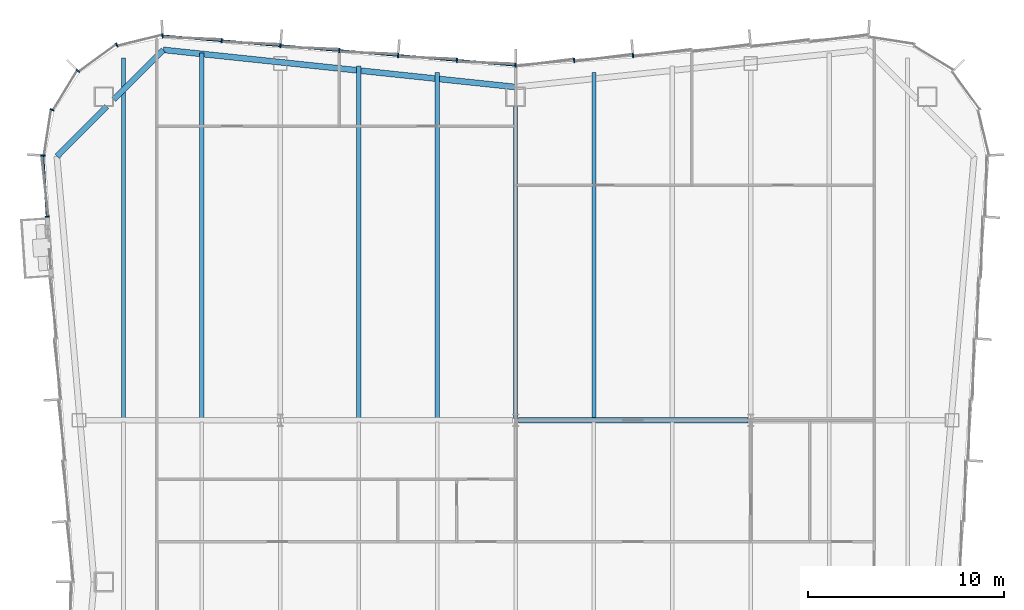
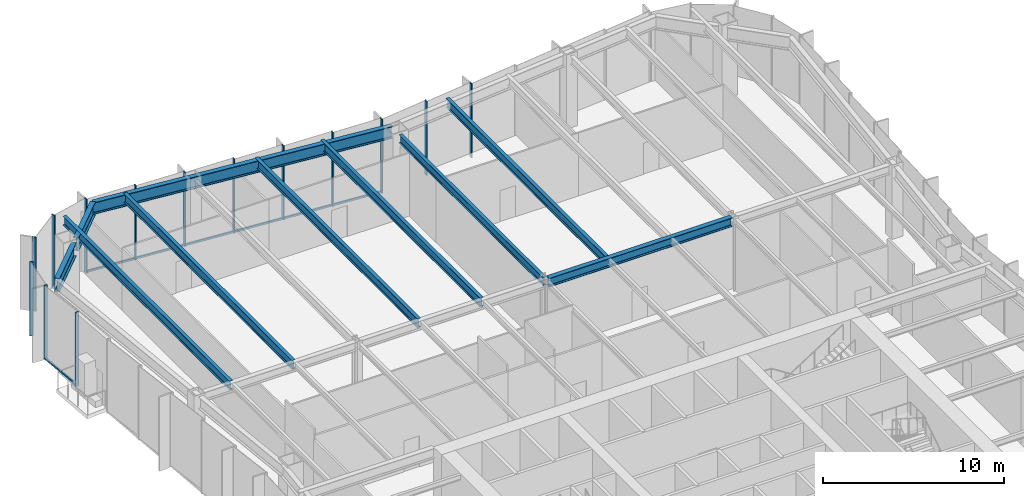
# One storey, part 5 of 16: 16 members, 10 beams, 3 elements without a shape of their own.
"""IFC4 building model written with IfcOpenShell, lengths in metres."""

from ifc_helpers import new_model, si_unit, direction, frame, origin, origin_2d, place, context, subcontext, project, spatial, rectangle, i_section, extrude, material, material_profile, profile_set, type_object, element, aggregate, save


model = new_model("IFC4")

# Units and contexts
model_context = context("Model", 3, precision=1e-05, world=origin(), true_north=direction((0.0, 1.0)))
body_context = subcontext(model_context, "Body", "Model", "MODEL_VIEW")
ifc_project = project(units=[si_unit("LENGTHUNIT", "METRE"), si_unit("AREAUNIT", "SQUARE_METRE"), si_unit("VOLUMEUNIT", "CUBIC_METRE"), si_unit("PLANEANGLEUNIT", "RADIAN"), si_unit("MASSUNIT", "GRAM", prefix="KILO")], contexts=[model_context])

# Site, building, storey
site_placement = place(None, origin())
site = spatial("IfcSite", under=ifc_project, at=site_placement, CompositionType="ELEMENT")
building_placement = place(site_placement, origin())
building = spatial("IfcBuilding", under=site, at=building_placement, Name="Verdant Reach Tower", CompositionType="ELEMENT")
storey_placement = place(building_placement, frame((0.0, 0.0, 177.0)))
storey = spatial("IfcBuildingStorey", under=building, at=storey_placement, Name="L40", CompositionType="ELEMENT", Elevation=177.0)

# Curtain wall, members
ifc_material_1 = material(Name="Anodised aluminium", Category="aluminium")
curtain_wall_type = type_object("IfcCurtainWallType", Name="EN-CW SYSTEM Z3", PredefinedType="NOTDEFINED", material=ifc_material_1)
curtain_wall_1_placement = place(storey_placement, origin())
curtain_wall_1 = element("IfcCurtainWall", 1, at=curtain_wall_1_placement, inside=storey, type_object=curtain_wall_type, Name="Curtain wall north, L40", PredefinedType="NOTDEFINED")
ifc_material_profile_1 = material_profile(ifc_material_1, rectangle(XDim=0.218017578125, YDim=0.06591796875, at=origin_2d()), Name="Mullion 66x218")
ifc_profile_set_1 = profile_set([ifc_material_profile_1], Name="Anodised aluminium")
member_type_1 = type_object("IfcMemberType", Name="EN-MULLION Z3", PredefinedType="MULLION", material=ifc_profile_set_1)
member_1_placement = place(storey_placement, frame((5.990966796875, 68.108642578125, -0.35009765625), z_axis=(0.0, 0.0, 1.0), x_axis=(-0.083045479859, 0.996545758244, 0.0)))
member_1 = element("IfcMember", 2, at=member_1_placement, type_object=member_type_1, Name="Mullion north face part 1 5, L40", PredefinedType="MULLION", context=body_context, shape_type="SweptSolid", body=[
    extrude(rectangle(XDim=0.218017578125, YDim=0.06591796875, at=origin_2d()), origin(), (0.0, 0.0, 1.0), 5.0),
])
member_2_placement = place(storey_placement, frame((2.990966796875, 67.858642578125, -0.35009765625), z_axis=(0.0, 0.0, 1.0), x_axis=(-0.083045479859, 0.996545758244, 0.0)))
member_2 = element("IfcMember", 3, at=member_2_placement, type_object=member_type_1, Name="Mullion north face part 1 6, L40", PredefinedType="MULLION", context=body_context, shape_type="SweptSolid", body=[
    extrude(rectangle(XDim=0.218017578125, YDim=0.06591796875, at=origin_2d()), origin(), (0.0, 0.0, 1.0), 5.0),
])
member_3_placement = place(storey_placement, frame((0.0, 67.60888671875, -0.35009765625), z_axis=(0.0, 0.0, 1.0), x_axis=(0.0, 1.0, 0.0)))
member_3 = element("IfcMember", 4, at=member_3_placement, type_object=member_type_1, Name="Mullion north face part 2 1, L40", PredefinedType="MULLION", context=body_context, shape_type="SweptSolid", body=[
    extrude(rectangle(XDim=0.218017578125, YDim=0.06591796875, at=origin_2d()), origin(), (0.0, 0.0, 1.0), 5.0),
])
member_4_placement = place(storey_placement, frame((-2.990966796875, 67.858642578125, -0.35009765625), z_axis=(0.0, 0.0, 1.0), x_axis=(0.083045479859, 0.996545758244, 0.0)))
member_4 = element("IfcMember", 5, at=member_4_placement, type_object=member_type_1, Name="Mullion north face part 2 2, L40", PredefinedType="MULLION", context=body_context, shape_type="SweptSolid", body=[
    extrude(rectangle(XDim=0.218017578125, YDim=0.06591796875, at=origin_2d()), origin(), (0.0, 0.0, 1.0), 5.0),
])
member_5_placement = place(storey_placement, frame((-5.990966796875, 68.108642578125, -0.35009765625), z_axis=(0.0, 0.0, 1.0), x_axis=(0.083045479859, 0.996545758244, 0.0)))
member_5 = element("IfcMember", 6, at=member_5_placement, type_object=member_type_1, Name="Mullion north face part 2 3, L40", PredefinedType="MULLION", context=body_context, shape_type="SweptSolid", body=[
    extrude(rectangle(XDim=0.218017578125, YDim=0.06591796875, at=origin_2d()), origin(), (0.0, 0.0, 1.0), 5.0),
])
member_6_placement = place(storey_placement, frame((-8.990966796875, 68.358642578125, -0.35009765625), z_axis=(0.0, 0.0, 1.0), x_axis=(0.083045479859, 0.996545758244, 0.0)))
member_6 = element("IfcMember", 7, at=member_6_placement, type_object=member_type_1, Name="Mullion north face part 2 4, L40", PredefinedType="MULLION", context=body_context, shape_type="SweptSolid", body=[
    extrude(rectangle(XDim=0.218017578125, YDim=0.06591796875, at=origin_2d()), origin(), (0.0, 0.0, 1.0), 5.0),
])
member_7_placement = place(storey_placement, frame((-11.990966796875, 68.608642578125, -0.35009765625), z_axis=(0.0, 0.0, 1.0), x_axis=(0.083045479859, 0.996545758244, 0.0)))
member_7 = element("IfcMember", 8, at=member_7_placement, type_object=member_type_1, Name="Mullion north face part 2 5, L40", PredefinedType="MULLION", context=body_context, shape_type="SweptSolid", body=[
    extrude(rectangle(XDim=0.218017578125, YDim=0.06591796875, at=origin_2d()), origin(), (0.0, 0.0, 1.0), 5.0),
])
member_8_placement = place(storey_placement, frame((-14.990966796875, 68.858642578125, -0.35009765625), z_axis=(0.0, 0.0, 1.0), x_axis=(0.083045479859, 0.996545758244, 0.0)))
member_8 = element("IfcMember", 9, at=member_8_placement, type_object=member_type_1, Name="Mullion north face part 2 6, L40", PredefinedType="MULLION", context=body_context, shape_type="SweptSolid", body=[
    extrude(rectangle(XDim=0.218017578125, YDim=0.06591796875, at=origin_2d()), origin(), (0.0, 0.0, 1.0), 5.0),
])

curtain_wall_2_placement = place(storey_placement, origin())
curtain_wall_2 = element("IfcCurtainWall", 10, at=curtain_wall_2_placement, inside=storey, type_object=curtain_wall_type, Name="Curtain wall north-west corner, L40", PredefinedType="NOTDEFINED")
member_9_placement = place(storey_placement, frame((-18.006103515625, 69.10888671875, -0.35009765625), z_axis=(0.0, 0.0, 1.0), x_axis=(-0.056569187765, 0.998398681387, 0.0)))
member_9 = element("IfcMember", 11, at=member_9_placement, type_object=member_type_1, Name="Mullion north-west corner 1, L40", PredefinedType="MULLION", context=body_context, shape_type="SweptSolid", body=[
    extrude(rectangle(XDim=0.218017578125, YDim=0.06591796875, at=origin_2d()), origin(), (0.0, 0.0, 1.0), 5.0),
])
member_10_placement = place(storey_placement, frame((-20.337890625, 68.64404296875, -0.35009765625), z_axis=(0.0, 0.0, 1.0), x_axis=(-0.382693853776, 0.923875215753, 0.0)))
member_10 = element("IfcMember", 12, at=member_10_placement, type_object=member_type_1, Name="Mullion north-west corner 2, L40", PredefinedType="MULLION", context=body_context, shape_type="SweptSolid", body=[
    extrude(rectangle(XDim=0.218017578125, YDim=0.06591796875, at=origin_2d()), origin(), (0.0, 0.0, 1.0), 5.0),
])
member_11_placement = place(storey_placement, frame((-22.319580078125, 67.319580078125, -0.35009765625), z_axis=(0.0, 0.0, 1.0), x_axis=(-0.707106781187, 0.707106781187, 0.0)))
member_11 = element("IfcMember", 13, at=member_11_placement, type_object=member_type_1, Name="Mullion north-west corner 3, L40", PredefinedType="MULLION", context=body_context, shape_type="SweptSolid", body=[
    extrude(rectangle(XDim=0.218017578125, YDim=0.06591796875, at=origin_2d()), origin(), (0.0, 0.0, 1.0), 5.0),
])
member_12_placement = place(storey_placement, frame((-23.64404296875, 65.337890625, -0.35009765625), z_axis=(0.0, 0.0, 1.0), x_axis=(-0.923875215753, 0.382693853776, 0.0)))
member_12 = element("IfcMember", 14, at=member_12_placement, type_object=member_type_1, Name="Mullion north-west corner 4, L40", PredefinedType="MULLION", context=body_context, shape_type="SweptSolid", body=[
    extrude(rectangle(XDim=0.218017578125, YDim=0.06591796875, at=origin_2d()), origin(), (0.0, 0.0, 1.0), 5.0),
])
aggregate(curtain_wall_2, [member_9, member_10, member_11, member_12])

curtain_wall_3_placement = place(storey_placement, origin())
curtain_wall_3 = element("IfcCurtainWall", 15, at=curtain_wall_3_placement, inside=storey, type_object=curtain_wall_type, Name="Curtain wall west, L40", PredefinedType="NOTDEFINED")
member_13_placement = place(storey_placement, frame((-24.10888671875, 63.0068359375, -0.35009765625), z_axis=(0.0, 0.0, 1.0), x_axis=(-0.997969180898, 0.063698618332, 0.0)))
member_13 = element("IfcMember", 16, at=member_13_placement, type_object=member_type_1, Name="Mullion west face part 1 1, L40", PredefinedType="MULLION", context=body_context, shape_type="SweptSolid", body=[
    extrude(rectangle(XDim=0.218017578125, YDim=0.06591796875, at=origin_2d()), origin(), (0.0, 0.0, 1.0), 5.0),
])
member_14_placement = place(storey_placement, frame((-23.89453125, 59.88525390625, -0.35009765625), z_axis=(0.0, 0.0, 1.0), x_axis=(-0.997630328423, -0.068802091615, 0.0)))
member_14 = element("IfcMember", 17, at=member_14_placement, type_object=member_type_1, Name="Mullion west face part 1 2, L40", PredefinedType="MULLION", context=body_context, shape_type="SweptSolid", body=[
    extrude(rectangle(XDim=0.218017578125, YDim=0.06591796875, at=origin_2d()), origin(), (0.0, 0.0, 1.0), 5.0),
])

# Member
ifc_material_profile_2 = material_profile(ifc_material_1, rectangle(XDim=0.10009765625, YDim=0.1259765625, at=origin_2d()), Name="Transom 126x100")
ifc_profile_set_2 = profile_set([ifc_material_profile_2], Name="Anodised aluminium")
member_type_2 = type_object("IfcMemberType", Name="EN-TRANSOM Z3", PredefinedType="USERDEFINED", material=ifc_profile_set_2)
member_15_placement = place(storey_placement, frame((-0.032958984375, 67.61181640625, -0.287109375), z_axis=(-0.996548750467, 0.083009565369, 0.0), x_axis=(-0.083009565369, -0.996548750467, 0.0)))
member_15 = element("IfcMember", 18, at=member_15_placement, type_object=member_type_2, Name="Transom north face part 2 1.1, L40", ObjectType="TRANSOM", PredefinedType="USERDEFINED", context=body_context, shape_type="SweptSolid", body=[
    extrude(rectangle(XDim=0.10009765625, YDim=0.1259765625, at=origin_2d()), origin(), (0.0, 0.0, 1.0), 18.00244140625),
])

aggregate(curtain_wall_1, [member_1, member_2, member_3, member_4, member_5, member_6, member_7, member_8, member_15])

member_16_placement = place(storey_placement, frame((-24.1064453125, 62.97412109375, -0.287109375), z_axis=(0.068465633569, -0.997653475421, 0.0), x_axis=(0.997653475421, 0.068465633569, 0.0)))
member_16 = element("IfcMember", 19, at=member_16_placement, type_object=member_type_2, Name="Transom west face part 1 1.1, L40", ObjectType="TRANSOM", PredefinedType="USERDEFINED", context=body_context, shape_type="SweptSolid", body=[
    extrude(rectangle(XDim=0.10009765625, YDim=0.1259765625, at=origin_2d()), origin(), (0.0, 0.0, 1.0), 3.06298828125),
])

aggregate(curtain_wall_3, [member_13, member_14, member_16])

# Beams
ifc_material_2 = material(Name="Steel S355", Category="steel")
ifc_material_profile_3 = material_profile(ifc_material_2, i_section(OverallWidth=0.300048828125, OverallDepth=0.60009765625, WebThickness=0.015380859375, FlangeThickness=0.030029296875, FilletRadius=0.027099609375, at=origin_2d()), Name="HEB 600")
ifc_profile_set_3 = profile_set([ifc_material_profile_3], Name="Steel S355")
beam_type_1 = type_object("IfcBeamType", Name="ST-BEAM-HEB600", PredefinedType="BEAM", material=ifc_profile_set_3)
beam_1_placement = place(storey_placement, frame((0.152587890625, 49.5, 4.570068359375), z_axis=(1.0, 0.0, 0.0), x_axis=(0.0, 1.0, 0.0)))
element("IfcBeam", 20, at=beam_1_placement, inside=storey, type_object=beam_type_1, Name="Row girder, L40", PredefinedType="BEAM", context=body_context, shape_type="SweptSolid", body=[
    extrude(i_section(OverallWidth=0.300048828125, OverallDepth=0.60009765625, WebThickness=0.015380859375, FlangeThickness=0.030029296875, FilletRadius=0.027099609375, at=origin_2d()), origin(), (0.0, 0.0, 1.0), 11.69482421875),
])
ifc_material_profile_4 = material_profile(ifc_material_2, i_section(OverallWidth=0.2099609375, OverallDepth=0.550048828125, WebThickness=0.010986328125, FlangeThickness=0.01708984375, FilletRadius=0.02392578125, at=origin_2d()), Name="IPE 550")
ifc_profile_set_4 = profile_set([ifc_material_profile_4], Name="Steel S355")
beam_type_2 = type_object("IfcBeamType", Name="ST-JOIST-IPE550", PredefinedType="JOIST", material=ifc_profile_set_4)
beam_2_placement = place(storey_placement, frame((0.0, 49.60009765625, 4.594970703125), z_axis=(0.0, 1.0, 0.0), x_axis=(-1.0, 0.0, 0.0)))
element("IfcBeam", 21, at=beam_2_placement, inside=storey, type_object=beam_type_2, Name="Floor joist, L40", PredefinedType="JOIST", context=body_context, shape_type="SweptSolid", body=[
    extrude(i_section(OverallWidth=0.2099609375, OverallDepth=0.550048828125, WebThickness=0.010986328125, FlangeThickness=0.01708984375, FilletRadius=0.02392578125, at=origin_2d()), origin(), (0.0, 0.0, 1.0), 15.89990234375),
])
ifc_material_profile_5 = material_profile(ifc_material_2, i_section(OverallWidth=0.219970703125, OverallDepth=0.60009765625, WebThickness=0.011962890625, FlangeThickness=0.01904296875, FilletRadius=0.02392578125, at=origin_2d()), Name="IPE 600")
ifc_profile_set_5 = profile_set([ifc_material_profile_5], Name="Steel S355")
beam_type_3 = type_object("IfcBeamType", Name="ST-JOIST-IPE600", PredefinedType="JOIST", material=ifc_profile_set_5)
beam_3_placement = place(storey_placement, frame((-20.0, 49.60009765625, 4.570068359375), z_axis=(0.0, 1.0, 0.0), x_axis=(-1.0, 0.0, 0.0)))
element("IfcBeam", 22, at=beam_3_placement, inside=storey, type_object=beam_type_3, Name="Floor joist, L40", PredefinedType="JOIST", context=body_context, shape_type="SweptSolid", body=[
    extrude(i_section(OverallWidth=0.219970703125, OverallDepth=0.60009765625, WebThickness=0.011962890625, FlangeThickness=0.01904296875, FilletRadius=0.02392578125, at=origin_2d()), origin(), (0.0, 0.0, 1.0), 18.390380859375),
])
beam_4_placement = place(storey_placement, frame((-16.0, 49.60009765625, 4.570068359375), z_axis=(0.0, 1.0, 0.0), x_axis=(-1.0, 0.0, 0.0)))
element("IfcBeam", 23, at=beam_4_placement, inside=storey, type_object=beam_type_3, Name="Floor joist, L40", PredefinedType="JOIST", context=body_context, shape_type="SweptSolid", body=[
    extrude(i_section(OverallWidth=0.219970703125, OverallDepth=0.60009765625, WebThickness=0.011962890625, FlangeThickness=0.01904296875, FilletRadius=0.02392578125, at=origin_2d()), origin(), (0.0, 0.0, 1.0), 18.631103515625),
])
beam_5_placement = place(storey_placement, frame((-8.0, 49.60009765625, 4.570068359375), z_axis=(0.0, 1.0, 0.0), x_axis=(-1.0, 0.0, 0.0)))
element("IfcBeam", 24, at=beam_5_placement, inside=storey, type_object=beam_type_3, Name="Floor joist, L40", PredefinedType="JOIST", context=body_context, shape_type="SweptSolid", body=[
    extrude(i_section(OverallWidth=0.219970703125, OverallDepth=0.60009765625, WebThickness=0.011962890625, FlangeThickness=0.01904296875, FilletRadius=0.02392578125, at=origin_2d()), origin(), (0.0, 0.0, 1.0), 17.964599609375),
])
for number, where, z_axis, x_axis, name in (
    (25, (-4.0, 49.60009765625, 4.570068359375), (0.0, 1.0, 0.0), (-1.0, 0.0, 0.0), "Floor joist, L40"),
    (26, (4.0, 49.60009765625, 4.570068359375), (0.0, 1.0, 0.0), (-1.0, 0.0, 0.0), "Floor joist, L40"),
):
    element("IfcBeam", number, at=place(storey_placement, frame(where, z_axis=z_axis, x_axis=x_axis)), inside=storey, type_object=beam_type_3, Name=name, PredefinedType="JOIST", context=body_context, shape_type="SweptSolid", body=[
        extrude(i_section(OverallWidth=0.219970703125, OverallDepth=0.60009765625, WebThickness=0.011962890625, FlangeThickness=0.01904296875, FilletRadius=0.02392578125, at=origin_2d()), origin(), (0.0, 0.0, 1.0), 17.631103515625),
    ])
ifc_material_profile_6 = material_profile(ifc_material_2, i_section(OverallWidth=0.300048828125, OverallDepth=0.800048828125, WebThickness=0.017578125, FlangeThickness=0.032958984375, FilletRadius=0.030029296875, at=origin_2d()), Name="HEB 800")
ifc_profile_set_6 = profile_set([ifc_material_profile_6], Name="Steel S355")
beam_type_4 = type_object("IfcBeamType", Name="ST-SPANDREL-HEB800", PredefinedType="SPANDREL", material=ifc_profile_set_6)
beam_6_placement = place(storey_placement, frame((-17.9658203125, 68.39501953125, 4.469970703125), z_axis=(0.994483067002, -0.104897232783, 0.0), x_axis=(0.104897232783, 0.994483067002, 0.0)))
element("IfcBeam", 27, at=beam_6_placement, inside=storey, type_object=beam_type_4, Name="Edge beam, L40", PredefinedType="SPANDREL", context=body_context, shape_type="SweptSolid", body=[
    extrude(i_section(OverallWidth=0.300048828125, OverallDepth=0.800048828125, WebThickness=0.017578125, FlangeThickness=0.032958984375, FilletRadius=0.030029296875, at=origin_2d()), origin(), (0.0, 0.0, 1.0), 18.0654296875),
])
ifc_material_profile_7 = material_profile(ifc_material_2, i_section(OverallWidth=0.302001953125, OverallDepth=0.909912109375, WebThickness=0.02099609375, FlangeThickness=0.0400390625, FilletRadius=0.030029296875, at=origin_2d()), Name="HEM 900")
ifc_profile_set_7 = profile_set([ifc_material_profile_7], Name="Steel S355")
beam_type_5 = type_object("IfcBeamType", Name="ST-SPANDREL-HEM900", PredefinedType="SPANDREL", material=ifc_profile_set_7)
beam_7_placement = place(storey_placement, frame((-23.39599609375, 62.96142578125, 4.4150390625), z_axis=(0.706902680526, 0.707310822952, 0.0), x_axis=(-0.707310822952, 0.706902680526, 0.0)))
element("IfcBeam", 28, at=beam_7_placement, inside=storey, type_object=beam_type_5, Name="Edge beam, L40", PredefinedType="SPANDREL", context=body_context, shape_type="SweptSolid", body=[
    extrude(i_section(OverallWidth=0.302001953125, OverallDepth=0.909912109375, WebThickness=0.02099609375, FlangeThickness=0.0400390625, FilletRadius=0.030029296875, at=origin_2d()), origin(), (0.0, 0.0, 1.0), 3.589111328125),
])
beam_8_placement = place(storey_placement, frame((-20.5, 65.859130859375, 4.4150390625), z_axis=(0.706868394255, 0.707345087777, 0.0), x_axis=(-0.707345087777, 0.706868394255, 0.0)))
element("IfcBeam", 29, at=beam_8_placement, inside=storey, type_object=beam_type_5, Name="Edge beam, L40", PredefinedType="SPANDREL", context=body_context, shape_type="SweptSolid", body=[
    extrude(i_section(OverallWidth=0.302001953125, OverallDepth=0.909912109375, WebThickness=0.02099609375, FlangeThickness=0.0400390625, FilletRadius=0.030029296875, at=origin_2d()), origin(), (0.0, 0.0, 1.0), 3.5849609375),
])

save(model, "model.ifc")
